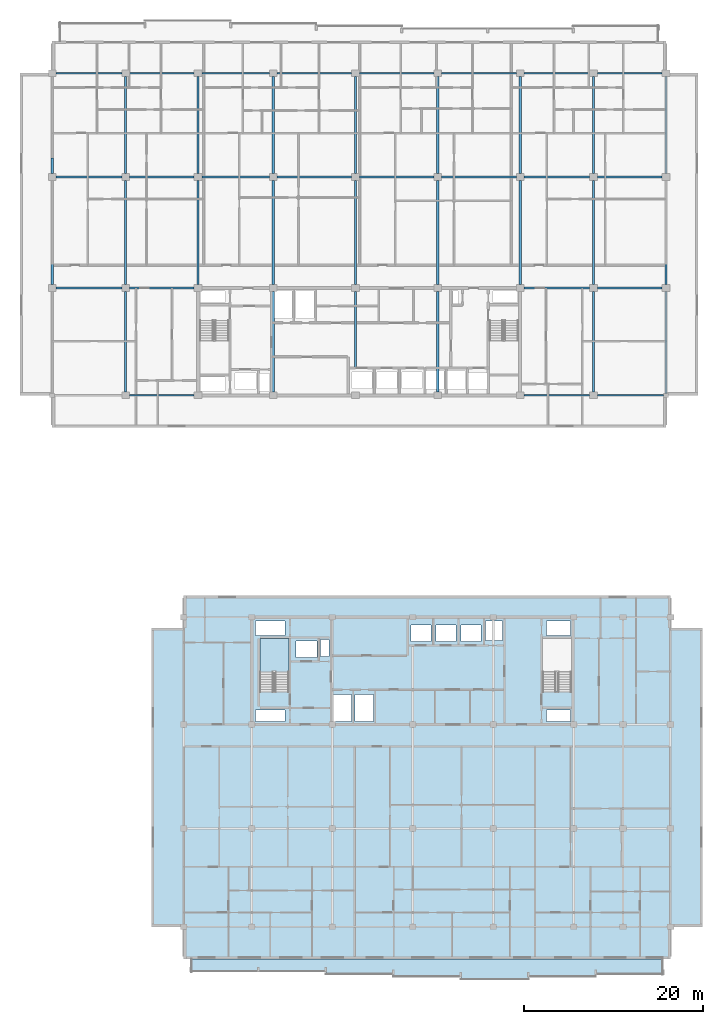
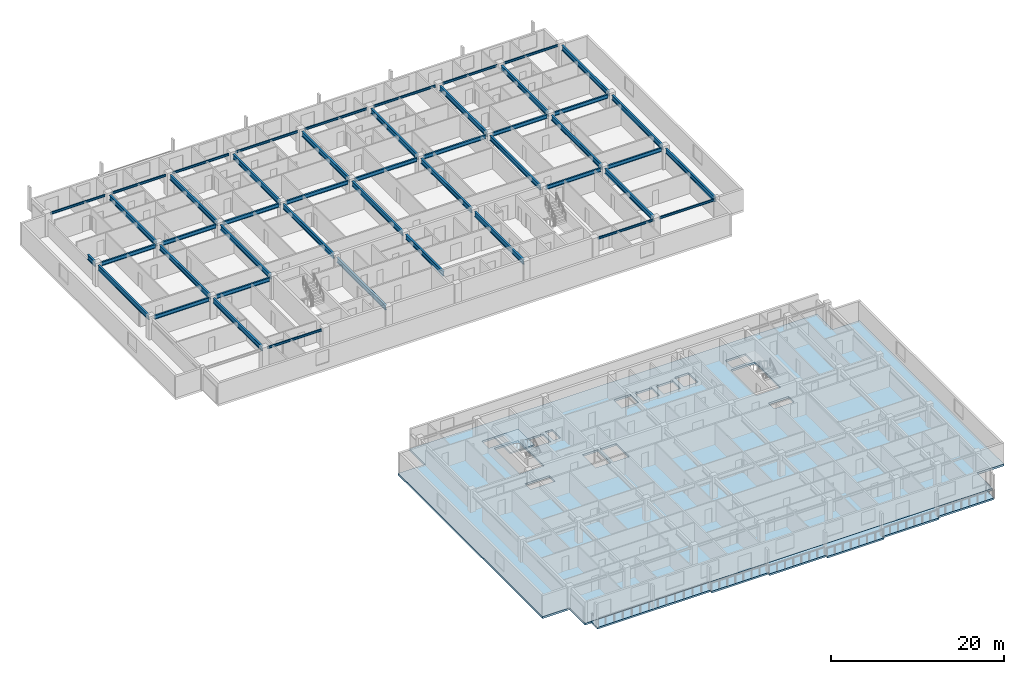
# One storey, part 2 of 23: 47 beams, 3 slabs, 1 element without a shape of its own.
"""IFC4 building model written with IfcOpenShell, lengths in metres."""

from ifc_helpers import new_model, si_unit, direction, frame, origin, origin_2d, place, context, subcontext, project, spatial, polyline, i_section, outline, extrude, material, layer, layer_set, material_profile, profile_set, type_object, element, aggregate, save


model = new_model("IFC4")

# Units and contexts
model_context = context("Model", 3, precision=1e-05, world=origin(), true_north=direction((0.0, 1.0)))
body_context = subcontext(model_context, "Body", "Model", "MODEL_VIEW")
ifc_project = project(units=[si_unit("LENGTHUNIT", "METRE"), si_unit("AREAUNIT", "SQUARE_METRE"), si_unit("VOLUMEUNIT", "CUBIC_METRE"), si_unit("PLANEANGLEUNIT", "RADIAN"), si_unit("MASSUNIT", "GRAM", prefix="KILO")], contexts=[model_context])

# Site, building, storey
site_placement = place(None, origin())
site = spatial("IfcSite", under=ifc_project, at=site_placement, CompositionType="ELEMENT")
building_placement = place(site_placement, origin())
building = spatial("IfcBuilding", under=site, at=building_placement, Name="Korimba Cascade Residences", CompositionType="ELEMENT")
storey_placement = place(building_placement, frame((0.0, 0.0, 165.35009765625)))
storey = spatial("IfcBuildingStorey", under=building, at=storey_placement, Name="L47", CompositionType="ELEMENT", Elevation=165.35009765625)

# Beams
ifc_material_1 = material(Name="Steel S355", Category="steel")
ifc_material_profile_1 = material_profile(ifc_material_1, i_section(OverallWidth=0.165771484375, OverallDepth=0.306640625, WebThickness=0.006591796875, FlangeThickness=0.01171875, FilletRadius=0.0087890625, at=origin_2d()), Name="Steel S355")
ifc_profile_set_1 = profile_set([ifc_material_profile_1], Name="Steel S355")
beam_type_1 = type_object("IfcBeamType", Name="BM-STL-UB305", PredefinedType="SPANDREL", material=ifc_profile_set_1)
beam_1_placement = place(storey_placement, frame((68.425048828125, 55.199951171875, 2.816650390625), z_axis=(1.0, 0.0, 0.0), x_axis=(0.0, 1.0, 0.0)))
element("IfcBeam", 1, at=beam_1_placement, inside=storey, type_object=beam_type_1, Name="L47 T1 E-W Girder Y1 Bay 2", PredefinedType="SPANDREL", context=body_context, shape_type="SweptSolid", body=[
    extrude(i_section(OverallWidth=0.165771484375, OverallDepth=0.306640625, WebThickness=0.006591796875, FlangeThickness=0.01171875, FilletRadius=0.0087890625, at=origin_2d()), origin(), (0.0, 0.0, 1.0), 7.25),
])
beam_2_placement = place(storey_placement, frame((112.52490234375, 55.199951171875, 2.816650390625), z_axis=(1.0, 0.0, 0.0), x_axis=(0.0, 1.0, 0.0)))
element("IfcBeam", 2, at=beam_2_placement, inside=storey, type_object=beam_type_1, Name="L47 T1 E-W Girder Y1 Bay 7", PredefinedType="SPANDREL", context=body_context, shape_type="SweptSolid", body=[
    extrude(i_section(OverallWidth=0.165771484375, OverallDepth=0.306640625, WebThickness=0.006591796875, FlangeThickness=0.01171875, FilletRadius=0.0087890625, at=origin_2d()), origin(), (0.0, 0.0, 1.0), 7.35009765625),
])
beam_3_placement = place(storey_placement, frame((120.72509765625, 55.199951171875, 2.816650390625), z_axis=(1.0, 0.0, 0.0), x_axis=(0.0, 1.0, 0.0)))
element("IfcBeam", 3, at=beam_3_placement, inside=storey, type_object=beam_type_1, Name="L47 T1 E-W Girder Y1 Bay 8", PredefinedType="SPANDREL", context=body_context, shape_type="SweptSolid", body=[
    extrude(i_section(OverallWidth=0.165771484375, OverallDepth=0.306640625, WebThickness=0.006591796875, FlangeThickness=0.01171875, FilletRadius=0.0087890625, at=origin_2d()), origin(), (0.0, 0.0, 1.0), 7.39990234375),
])
beam_4_placement = place(storey_placement, frame((60.22509765625, 91.199951171875, 2.816650390625), z_axis=(1.0, 0.0, 0.0), x_axis=(0.0, 1.0, 0.0)))
element("IfcBeam", 4, at=beam_4_placement, inside=storey, type_object=beam_type_1, Name="L47 T1 E-W Girder Y4 Bay 1", PredefinedType="SPANDREL", context=body_context, shape_type="SweptSolid", body=[
    extrude(i_section(OverallWidth=0.165771484375, OverallDepth=0.306640625, WebThickness=0.006591796875, FlangeThickness=0.01171875, FilletRadius=0.0087890625, at=origin_2d()), origin(), (0.0, 0.0, 1.0), 7.349853515625),
])
beam_5_placement = place(storey_placement, frame((68.425048828125, 91.199951171875, 2.816650390625), z_axis=(1.0, 0.0, 0.0), x_axis=(0.0, 1.0, 0.0)))
element("IfcBeam", 5, at=beam_5_placement, inside=storey, type_object=beam_type_1, Name="L47 T1 E-W Girder Y4 Bay 2", PredefinedType="SPANDREL", context=body_context, shape_type="SweptSolid", body=[
    extrude(i_section(OverallWidth=0.165771484375, OverallDepth=0.306640625, WebThickness=0.006591796875, FlangeThickness=0.01171875, FilletRadius=0.0087890625, at=origin_2d()), origin(), (0.0, 0.0, 1.0), 7.25),
])
beam_6_placement = place(storey_placement, frame((76.52490234375, 91.199951171875, 2.816650390625), z_axis=(1.0, 0.0, 0.0), x_axis=(0.0, 1.0, 0.0)))
element("IfcBeam", 6, at=beam_6_placement, inside=storey, type_object=beam_type_1, Name="L47 T1 E-W Girder Y4 Bay 3", PredefinedType="SPANDREL", context=body_context, shape_type="SweptSolid", body=[
    extrude(i_section(OverallWidth=0.165771484375, OverallDepth=0.306640625, WebThickness=0.006591796875, FlangeThickness=0.01171875, FilletRadius=0.0087890625, at=origin_2d()), origin(), (0.0, 0.0, 1.0), 7.550048828125),
])
beam_7_placement = place(storey_placement, frame((84.925048828125, 91.199951171875, 2.816650390625), z_axis=(1.0, 0.0, 0.0), x_axis=(0.0, 1.0, 0.0)))
element("IfcBeam", 7, at=beam_7_placement, inside=storey, type_object=beam_type_1, Name="L47 T1 E-W Girder Y4 Bay 4", PredefinedType="SPANDREL", context=body_context, shape_type="SweptSolid", body=[
    extrude(i_section(OverallWidth=0.165771484375, OverallDepth=0.306640625, WebThickness=0.006591796875, FlangeThickness=0.01171875, FilletRadius=0.0087890625, at=origin_2d()), origin(), (0.0, 0.0, 1.0), 8.349853515625),
])
for number, where, z_axis, x_axis, name in (
    (8, (94.125, 91.199951171875, 2.816650390625), (1.0, 0.0, 0.0), (0.0, 1.0, 0.0), "L47 T1 E-W Girder Y4 Bay 5"),
    (9, (103.324951171875, 91.199951171875, 2.816650390625), (1.0, 0.0, 0.0), (0.0, 1.0, 0.0), "L47 T1 E-W Girder Y4 Bay 6"),
):
    element("IfcBeam", number, at=place(storey_placement, frame(where, z_axis=z_axis, x_axis=x_axis)), inside=storey, type_object=beam_type_1, Name=name, PredefinedType="SPANDREL", context=body_context, shape_type="SweptSolid", body=[
        extrude(i_section(OverallWidth=0.165771484375, OverallDepth=0.306640625, WebThickness=0.006591796875, FlangeThickness=0.01171875, FilletRadius=0.0087890625, at=origin_2d()), origin(), (0.0, 0.0, 1.0), 8.35009765625),
    ])
beam_8_placement = place(storey_placement, frame((112.52490234375, 91.199951171875, 2.816650390625), z_axis=(1.0, 0.0, 0.0), x_axis=(0.0, 1.0, 0.0)))
element("IfcBeam", 10, at=beam_8_placement, inside=storey, type_object=beam_type_1, Name="L47 T1 E-W Girder Y4 Bay 7", PredefinedType="SPANDREL", context=body_context, shape_type="SweptSolid", body=[
    extrude(i_section(OverallWidth=0.165771484375, OverallDepth=0.306640625, WebThickness=0.006591796875, FlangeThickness=0.01171875, FilletRadius=0.0087890625, at=origin_2d()), origin(), (0.0, 0.0, 1.0), 7.35009765625),
])
beam_9_placement = place(storey_placement, frame((120.72509765625, 91.199951171875, 2.816650390625), z_axis=(1.0, 0.0, 0.0), x_axis=(0.0, 1.0, 0.0)))
element("IfcBeam", 11, at=beam_9_placement, inside=storey, type_object=beam_type_1, Name="L47 T1 E-W Girder Y4 Bay 8", PredefinedType="SPANDREL", context=body_context, shape_type="SweptSolid", body=[
    extrude(i_section(OverallWidth=0.165771484375, OverallDepth=0.306640625, WebThickness=0.006591796875, FlangeThickness=0.01171875, FilletRadius=0.0087890625, at=origin_2d()), origin(), (0.0, 0.0, 1.0), 7.25),
])
ifc_material_profile_2 = material_profile(ifc_material_1, i_section(OverallWidth=0.2099609375, OverallDepth=0.53662109375, WebThickness=0.0107421875, FlangeThickness=0.017333984375, FilletRadius=0.0126953125, at=origin_2d()), Name="Steel S355")
ifc_profile_set_2 = profile_set([ifc_material_profile_2], Name="Steel S355")
beam_type_2 = type_object("IfcBeamType", Name="BM-STL-UB533", PredefinedType="BEAM", material=ifc_profile_set_2)
beam_10_placement = place(storey_placement, frame((60.22509765625, 67.199951171875, 2.701416015625), z_axis=(1.0, 0.0, 0.0), x_axis=(0.0, 1.0, 0.0)))
element("IfcBeam", 12, at=beam_10_placement, inside=storey, type_object=beam_type_2, Name="L47 T1 E-W Girder Y2 Bay 1", PredefinedType="BEAM", context=body_context, shape_type="SweptSolid", body=[
    extrude(i_section(OverallWidth=0.2099609375, OverallDepth=0.53662109375, WebThickness=0.0107421875, FlangeThickness=0.017333984375, FilletRadius=0.0126953125, at=origin_2d()), origin(), (0.0, 0.0, 1.0), 7.349853515625),
])
beam_11_placement = place(storey_placement, frame((68.425048828125, 67.199951171875, 2.701416015625), z_axis=(1.0, 0.0, 0.0), x_axis=(0.0, 1.0, 0.0)))
element("IfcBeam", 13, at=beam_11_placement, inside=storey, type_object=beam_type_2, Name="L47 T1 E-W Girder Y2 Bay 2", PredefinedType="BEAM", context=body_context, shape_type="SweptSolid", body=[
    extrude(i_section(OverallWidth=0.2099609375, OverallDepth=0.53662109375, WebThickness=0.0107421875, FlangeThickness=0.017333984375, FilletRadius=0.0126953125, at=origin_2d()), origin(), (0.0, 0.0, 1.0), 7.25),
])
beam_12_placement = place(storey_placement, frame((112.52490234375, 67.199951171875, 2.701416015625), z_axis=(1.0, 0.0, 0.0), x_axis=(0.0, 1.0, 0.0)))
element("IfcBeam", 14, at=beam_12_placement, inside=storey, type_object=beam_type_2, Name="L47 T1 E-W Girder Y2 Bay 7", PredefinedType="BEAM", context=body_context, shape_type="SweptSolid", body=[
    extrude(i_section(OverallWidth=0.2099609375, OverallDepth=0.53662109375, WebThickness=0.0107421875, FlangeThickness=0.017333984375, FilletRadius=0.0126953125, at=origin_2d()), origin(), (0.0, 0.0, 1.0), 7.35009765625),
])
beam_13_placement = place(storey_placement, frame((120.72509765625, 67.199951171875, 2.701416015625), z_axis=(1.0, 0.0, 0.0), x_axis=(0.0, 1.0, 0.0)))
element("IfcBeam", 15, at=beam_13_placement, inside=storey, type_object=beam_type_2, Name="L47 T1 E-W Girder Y2 Bay 8", PredefinedType="BEAM", context=body_context, shape_type="SweptSolid", body=[
    extrude(i_section(OverallWidth=0.2099609375, OverallDepth=0.53662109375, WebThickness=0.0107421875, FlangeThickness=0.017333984375, FilletRadius=0.0126953125, at=origin_2d()), origin(), (0.0, 0.0, 1.0), 7.25),
])
beam_14_placement = place(storey_placement, frame((60.22509765625, 79.60009765625, 2.701416015625), z_axis=(1.0, 0.0, 0.0), x_axis=(0.0, 1.0, 0.0)))
element("IfcBeam", 16, at=beam_14_placement, inside=storey, type_object=beam_type_2, Name="L47 T1 E-W Girder Y3 Bay 1", PredefinedType="BEAM", context=body_context, shape_type="SweptSolid", body=[
    extrude(i_section(OverallWidth=0.2099609375, OverallDepth=0.53662109375, WebThickness=0.0107421875, FlangeThickness=0.017333984375, FilletRadius=0.0126953125, at=origin_2d()), origin(), (0.0, 0.0, 1.0), 7.349853515625),
])
beam_15_placement = place(storey_placement, frame((68.425048828125, 79.60009765625, 2.701416015625), z_axis=(1.0, 0.0, 0.0), x_axis=(0.0, 1.0, 0.0)))
element("IfcBeam", 17, at=beam_15_placement, inside=storey, type_object=beam_type_2, Name="L47 T1 E-W Girder Y3 Bay 2", PredefinedType="BEAM", context=body_context, shape_type="SweptSolid", body=[
    extrude(i_section(OverallWidth=0.2099609375, OverallDepth=0.53662109375, WebThickness=0.0107421875, FlangeThickness=0.017333984375, FilletRadius=0.0126953125, at=origin_2d()), origin(), (0.0, 0.0, 1.0), 7.25),
])
beam_16_placement = place(storey_placement, frame((76.52490234375, 79.60009765625, 2.701416015625), z_axis=(1.0, 0.0, 0.0), x_axis=(0.0, 1.0, 0.0)))
element("IfcBeam", 18, at=beam_16_placement, inside=storey, type_object=beam_type_2, Name="L47 T1 E-W Girder Y3 Bay 3", PredefinedType="BEAM", context=body_context, shape_type="SweptSolid", body=[
    extrude(i_section(OverallWidth=0.2099609375, OverallDepth=0.53662109375, WebThickness=0.0107421875, FlangeThickness=0.017333984375, FilletRadius=0.0126953125, at=origin_2d()), origin(), (0.0, 0.0, 1.0), 7.550048828125),
])
beam_17_placement = place(storey_placement, frame((84.925048828125, 79.60009765625, 2.701416015625), z_axis=(1.0, 0.0, 0.0), x_axis=(0.0, 1.0, 0.0)))
element("IfcBeam", 19, at=beam_17_placement, inside=storey, type_object=beam_type_2, Name="L47 T1 E-W Girder Y3 Bay 4", PredefinedType="BEAM", context=body_context, shape_type="SweptSolid", body=[
    extrude(i_section(OverallWidth=0.2099609375, OverallDepth=0.53662109375, WebThickness=0.0107421875, FlangeThickness=0.017333984375, FilletRadius=0.0126953125, at=origin_2d()), origin(), (0.0, 0.0, 1.0), 8.349853515625),
])
for number, where, z_axis, x_axis, name in (
    (20, (94.125, 79.60009765625, 2.701416015625), (1.0, 0.0, 0.0), (0.0, 1.0, 0.0), "L47 T1 E-W Girder Y3 Bay 5"),
    (21, (103.324951171875, 79.60009765625, 2.701416015625), (1.0, 0.0, 0.0), (0.0, 1.0, 0.0), "L47 T1 E-W Girder Y3 Bay 6"),
):
    element("IfcBeam", number, at=place(storey_placement, frame(where, z_axis=z_axis, x_axis=x_axis)), inside=storey, type_object=beam_type_2, Name=name, PredefinedType="BEAM", context=body_context, shape_type="SweptSolid", body=[
        extrude(i_section(OverallWidth=0.2099609375, OverallDepth=0.53662109375, WebThickness=0.0107421875, FlangeThickness=0.017333984375, FilletRadius=0.0126953125, at=origin_2d()), origin(), (0.0, 0.0, 1.0), 8.35009765625),
    ])
beam_18_placement = place(storey_placement, frame((112.52490234375, 79.60009765625, 2.701416015625), z_axis=(1.0, 0.0, 0.0), x_axis=(0.0, 1.0, 0.0)))
element("IfcBeam", 22, at=beam_18_placement, inside=storey, type_object=beam_type_2, Name="L47 T1 E-W Girder Y3 Bay 7", PredefinedType="BEAM", context=body_context, shape_type="SweptSolid", body=[
    extrude(i_section(OverallWidth=0.2099609375, OverallDepth=0.53662109375, WebThickness=0.0107421875, FlangeThickness=0.017333984375, FilletRadius=0.0126953125, at=origin_2d()), origin(), (0.0, 0.0, 1.0), 7.35009765625),
])
beam_19_placement = place(storey_placement, frame((120.72509765625, 79.60009765625, 2.701416015625), z_axis=(1.0, 0.0, 0.0), x_axis=(0.0, 1.0, 0.0)))
element("IfcBeam", 23, at=beam_19_placement, inside=storey, type_object=beam_type_2, Name="L47 T1 E-W Girder Y3 Bay 8", PredefinedType="BEAM", context=body_context, shape_type="SweptSolid", body=[
    extrude(i_section(OverallWidth=0.2099609375, OverallDepth=0.53662109375, WebThickness=0.0107421875, FlangeThickness=0.017333984375, FilletRadius=0.0126953125, at=origin_2d()), origin(), (0.0, 0.0, 1.0), 7.25),
])
ifc_material_profile_3 = material_profile(ifc_material_1, i_section(OverallWidth=0.255859375, OverallDepth=0.69287109375, WebThickness=0.014404296875, FlangeThickness=0.023681640625, FilletRadius=0.01513671875, at=origin_2d()), Name="Steel S355")
ifc_profile_set_3 = profile_set([ifc_material_profile_3], Name="Steel S355")
beam_type_3 = type_object("IfcBeamType", Name="BM-STL-UB686", PredefinedType="BEAM", material=ifc_profile_set_3)
beam_20_placement = place(storey_placement, frame((59.800048828125, 67.574951171875, 2.623291015625), z_axis=(0.0, 1.0, 0.0), x_axis=(-1.0, 0.0, 0.0)))
element("IfcBeam", 24, at=beam_20_placement, inside=storey, type_object=beam_type_3, Name="L47 T1 N-S Girder X1 Seg 2", PredefinedType="BEAM", context=body_context, shape_type="SweptSolid", body=[
    extrude(i_section(OverallWidth=0.255859375, OverallDepth=0.69287109375, WebThickness=0.014404296875, FlangeThickness=0.023681640625, FilletRadius=0.01513671875, at=origin_2d()), origin(), (0.0, 0.0, 1.0), 11.650146484375),
])
beam_21_placement = place(storey_placement, frame((59.800048828125, 79.97509765625, 2.623291015625), z_axis=(0.0, 1.0, 0.0), x_axis=(-1.0, 0.0, 0.0)))
element("IfcBeam", 25, at=beam_21_placement, inside=storey, type_object=beam_type_3, Name="L47 T1 N-S Girder X1 Seg 3", PredefinedType="BEAM", context=body_context, shape_type="SweptSolid", body=[
    extrude(i_section(OverallWidth=0.255859375, OverallDepth=0.69287109375, WebThickness=0.014404296875, FlangeThickness=0.023681640625, FilletRadius=0.01513671875, at=origin_2d()), origin(), (0.0, 0.0, 1.0), 1.724853515625),
])
beam_22_placement = place(storey_placement, frame((68.0, 55.574951171875, 2.623291015625), z_axis=(0.0, 1.0, 0.0), x_axis=(-1.0, 0.0, 0.0)))
element("IfcBeam", 26, at=beam_22_placement, inside=storey, type_object=beam_type_3, Name="L47 T1 N-S Girder X2 Seg 1", PredefinedType="BEAM", context=body_context, shape_type="SweptSolid", body=[
    extrude(i_section(OverallWidth=0.255859375, OverallDepth=0.69287109375, WebThickness=0.014404296875, FlangeThickness=0.023681640625, FilletRadius=0.01513671875, at=origin_2d()), origin(), (0.0, 0.0, 1.0), 11.25),
])
beam_23_placement = place(storey_placement, frame((68.0, 67.574951171875, 2.623291015625), z_axis=(0.0, 1.0, 0.0), x_axis=(-1.0, 0.0, 0.0)))
element("IfcBeam", 27, at=beam_23_placement, inside=storey, type_object=beam_type_3, Name="L47 T1 N-S Girder X2 Seg 2", PredefinedType="BEAM", context=body_context, shape_type="SweptSolid", body=[
    extrude(i_section(OverallWidth=0.255859375, OverallDepth=0.69287109375, WebThickness=0.014404296875, FlangeThickness=0.023681640625, FilletRadius=0.01513671875, at=origin_2d()), origin(), (0.0, 0.0, 1.0), 11.650146484375),
])
beam_24_placement = place(storey_placement, frame((68.0, 79.97509765625, 2.623291015625), z_axis=(0.0, 1.0, 0.0), x_axis=(-1.0, 0.0, 0.0)))
element("IfcBeam", 28, at=beam_24_placement, inside=storey, type_object=beam_type_3, Name="L47 T1 N-S Girder X2 Seg 3", PredefinedType="BEAM", context=body_context, shape_type="SweptSolid", body=[
    extrude(i_section(OverallWidth=0.255859375, OverallDepth=0.69287109375, WebThickness=0.014404296875, FlangeThickness=0.023681640625, FilletRadius=0.01513671875, at=origin_2d()), origin(), (0.0, 0.0, 1.0), 10.849853515625),
])
beam_25_placement = place(storey_placement, frame((76.10009765625, 67.574951171875, 2.623291015625), z_axis=(0.0, 1.0, 0.0), x_axis=(-1.0, 0.0, 0.0)))
element("IfcBeam", 29, at=beam_25_placement, inside=storey, type_object=beam_type_3, Name="L47 T1 N-S Girder X3 Seg 2", PredefinedType="BEAM", context=body_context, shape_type="SweptSolid", body=[
    extrude(i_section(OverallWidth=0.255859375, OverallDepth=0.69287109375, WebThickness=0.014404296875, FlangeThickness=0.023681640625, FilletRadius=0.01513671875, at=origin_2d()), origin(), (0.0, 0.0, 1.0), 11.650146484375),
])
beam_26_placement = place(storey_placement, frame((76.10009765625, 79.97509765625, 2.623291015625), z_axis=(0.0, 1.0, 0.0), x_axis=(-1.0, 0.0, 0.0)))
element("IfcBeam", 30, at=beam_26_placement, inside=storey, type_object=beam_type_3, Name="L47 T1 N-S Girder X3 Seg 3", PredefinedType="BEAM", context=body_context, shape_type="SweptSolid", body=[
    extrude(i_section(OverallWidth=0.255859375, OverallDepth=0.69287109375, WebThickness=0.014404296875, FlangeThickness=0.023681640625, FilletRadius=0.01513671875, at=origin_2d()), origin(), (0.0, 0.0, 1.0), 10.849853515625),
])
beam_27_placement = place(storey_placement, frame((84.5, 55.574951171875, 2.623291015625), z_axis=(0.0, 1.0, 0.0), x_axis=(-1.0, 0.0, 0.0)))
element("IfcBeam", 31, at=beam_27_placement, inside=storey, type_object=beam_type_3, Name="L47 T1 N-S Girder X4 Seg 1", PredefinedType="BEAM", context=body_context, shape_type="SweptSolid", body=[
    extrude(i_section(OverallWidth=0.255859375, OverallDepth=0.69287109375, WebThickness=0.014404296875, FlangeThickness=0.023681640625, FilletRadius=0.01513671875, at=origin_2d()), origin(), (0.0, 0.0, 1.0), 11.25),
])
beam_28_placement = place(storey_placement, frame((84.5, 67.574951171875, 2.623291015625), z_axis=(0.0, 1.0, 0.0), x_axis=(-1.0, 0.0, 0.0)))
element("IfcBeam", 32, at=beam_28_placement, inside=storey, type_object=beam_type_3, Name="L47 T1 N-S Girder X4 Seg 2", PredefinedType="BEAM", context=body_context, shape_type="SweptSolid", body=[
    extrude(i_section(OverallWidth=0.255859375, OverallDepth=0.69287109375, WebThickness=0.014404296875, FlangeThickness=0.023681640625, FilletRadius=0.01513671875, at=origin_2d()), origin(), (0.0, 0.0, 1.0), 11.650146484375),
])
beam_29_placement = place(storey_placement, frame((84.5, 79.97509765625, 2.623291015625), z_axis=(0.0, 1.0, 0.0), x_axis=(-1.0, 0.0, 0.0)))
element("IfcBeam", 33, at=beam_29_placement, inside=storey, type_object=beam_type_3, Name="L47 T1 N-S Girder X4 Seg 3", PredefinedType="BEAM", context=body_context, shape_type="SweptSolid", body=[
    extrude(i_section(OverallWidth=0.255859375, OverallDepth=0.69287109375, WebThickness=0.014404296875, FlangeThickness=0.023681640625, FilletRadius=0.01513671875, at=origin_2d()), origin(), (0.0, 0.0, 1.0), 10.849853515625),
])
beam_30_placement = place(storey_placement, frame((93.699951171875, 58.159912109375, 2.623291015625), z_axis=(0.0, 1.0, 0.0), x_axis=(-1.0, 0.0, 0.0)))
element("IfcBeam", 34, at=beam_30_placement, inside=storey, type_object=beam_type_3, Name="L47 T1 N-S Girder X5 Seg 1", PredefinedType="BEAM", context=body_context, shape_type="SweptSolid", body=[
    extrude(i_section(OverallWidth=0.255859375, OverallDepth=0.69287109375, WebThickness=0.014404296875, FlangeThickness=0.023681640625, FilletRadius=0.01513671875, at=origin_2d()), origin(), (0.0, 0.0, 1.0), 8.6650390625),
])
beam_31_placement = place(storey_placement, frame((93.699951171875, 67.574951171875, 2.623291015625), z_axis=(0.0, 1.0, 0.0), x_axis=(-1.0, 0.0, 0.0)))
element("IfcBeam", 35, at=beam_31_placement, inside=storey, type_object=beam_type_3, Name="L47 T1 N-S Girder X5 Seg 2", PredefinedType="BEAM", context=body_context, shape_type="SweptSolid", body=[
    extrude(i_section(OverallWidth=0.255859375, OverallDepth=0.69287109375, WebThickness=0.014404296875, FlangeThickness=0.023681640625, FilletRadius=0.01513671875, at=origin_2d()), origin(), (0.0, 0.0, 1.0), 11.650146484375),
])
beam_32_placement = place(storey_placement, frame((93.699951171875, 79.97509765625, 2.623291015625), z_axis=(0.0, 1.0, 0.0), x_axis=(-1.0, 0.0, 0.0)))
element("IfcBeam", 36, at=beam_32_placement, inside=storey, type_object=beam_type_3, Name="L47 T1 N-S Girder X5 Seg 3", PredefinedType="BEAM", context=body_context, shape_type="SweptSolid", body=[
    extrude(i_section(OverallWidth=0.255859375, OverallDepth=0.69287109375, WebThickness=0.014404296875, FlangeThickness=0.023681640625, FilletRadius=0.01513671875, at=origin_2d()), origin(), (0.0, 0.0, 1.0), 10.849853515625),
])
beam_33_placement = place(storey_placement, frame((102.89990234375, 55.574951171875, 2.623291015625), z_axis=(0.0, 1.0, 0.0), x_axis=(-1.0, 0.0, 0.0)))
element("IfcBeam", 37, at=beam_33_placement, inside=storey, type_object=beam_type_3, Name="L47 T1 N-S Girder X6 Seg 1", PredefinedType="BEAM", context=body_context, shape_type="SweptSolid", body=[
    extrude(i_section(OverallWidth=0.255859375, OverallDepth=0.69287109375, WebThickness=0.014404296875, FlangeThickness=0.023681640625, FilletRadius=0.01513671875, at=origin_2d()), origin(), (0.0, 0.0, 1.0), 11.25),
])
beam_34_placement = place(storey_placement, frame((102.89990234375, 67.574951171875, 2.623291015625), z_axis=(0.0, 1.0, 0.0), x_axis=(-1.0, 0.0, 0.0)))
element("IfcBeam", 38, at=beam_34_placement, inside=storey, type_object=beam_type_3, Name="L47 T1 N-S Girder X6 Seg 2", PredefinedType="BEAM", context=body_context, shape_type="SweptSolid", body=[
    extrude(i_section(OverallWidth=0.255859375, OverallDepth=0.69287109375, WebThickness=0.014404296875, FlangeThickness=0.023681640625, FilletRadius=0.01513671875, at=origin_2d()), origin(), (0.0, 0.0, 1.0), 11.650146484375),
])
beam_35_placement = place(storey_placement, frame((102.89990234375, 79.97509765625, 2.623291015625), z_axis=(0.0, 1.0, 0.0), x_axis=(-1.0, 0.0, 0.0)))
element("IfcBeam", 39, at=beam_35_placement, inside=storey, type_object=beam_type_3, Name="L47 T1 N-S Girder X6 Seg 3", PredefinedType="BEAM", context=body_context, shape_type="SweptSolid", body=[
    extrude(i_section(OverallWidth=0.255859375, OverallDepth=0.69287109375, WebThickness=0.014404296875, FlangeThickness=0.023681640625, FilletRadius=0.01513671875, at=origin_2d()), origin(), (0.0, 0.0, 1.0), 10.849853515625),
])
beam_36_placement = place(storey_placement, frame((112.10009765625, 67.574951171875, 2.623291015625), z_axis=(0.0, 1.0, 0.0), x_axis=(-1.0, 0.0, 0.0)))
element("IfcBeam", 40, at=beam_36_placement, inside=storey, type_object=beam_type_3, Name="L47 T1 N-S Girder X7 Seg 2", PredefinedType="BEAM", context=body_context, shape_type="SweptSolid", body=[
    extrude(i_section(OverallWidth=0.255859375, OverallDepth=0.69287109375, WebThickness=0.014404296875, FlangeThickness=0.023681640625, FilletRadius=0.01513671875, at=origin_2d()), origin(), (0.0, 0.0, 1.0), 11.650146484375),
])
beam_37_placement = place(storey_placement, frame((112.10009765625, 79.97509765625, 2.623291015625), z_axis=(0.0, 1.0, 0.0), x_axis=(-1.0, 0.0, 0.0)))
element("IfcBeam", 41, at=beam_37_placement, inside=storey, type_object=beam_type_3, Name="L47 T1 N-S Girder X7 Seg 3", PredefinedType="BEAM", context=body_context, shape_type="SweptSolid", body=[
    extrude(i_section(OverallWidth=0.255859375, OverallDepth=0.69287109375, WebThickness=0.014404296875, FlangeThickness=0.023681640625, FilletRadius=0.01513671875, at=origin_2d()), origin(), (0.0, 0.0, 1.0), 10.849853515625),
])
beam_38_placement = place(storey_placement, frame((120.300048828125, 55.574951171875, 2.623291015625), z_axis=(0.0, 1.0, 0.0), x_axis=(-1.0, 0.0, 0.0)))
element("IfcBeam", 42, at=beam_38_placement, inside=storey, type_object=beam_type_3, Name="L47 T1 N-S Girder X8 Seg 1", PredefinedType="BEAM", context=body_context, shape_type="SweptSolid", body=[
    extrude(i_section(OverallWidth=0.255859375, OverallDepth=0.69287109375, WebThickness=0.014404296875, FlangeThickness=0.023681640625, FilletRadius=0.01513671875, at=origin_2d()), origin(), (0.0, 0.0, 1.0), 11.25),
])
beam_39_placement = place(storey_placement, frame((120.300048828125, 67.574951171875, 2.623291015625), z_axis=(0.0, 1.0, 0.0), x_axis=(-1.0, 0.0, 0.0)))
element("IfcBeam", 43, at=beam_39_placement, inside=storey, type_object=beam_type_3, Name="L47 T1 N-S Girder X8 Seg 2", PredefinedType="BEAM", context=body_context, shape_type="SweptSolid", body=[
    extrude(i_section(OverallWidth=0.255859375, OverallDepth=0.69287109375, WebThickness=0.014404296875, FlangeThickness=0.023681640625, FilletRadius=0.01513671875, at=origin_2d()), origin(), (0.0, 0.0, 1.0), 11.650146484375),
])
beam_40_placement = place(storey_placement, frame((120.300048828125, 79.97509765625, 2.623291015625), z_axis=(0.0, 1.0, 0.0), x_axis=(-1.0, 0.0, 0.0)))
element("IfcBeam", 44, at=beam_40_placement, inside=storey, type_object=beam_type_3, Name="L47 T1 N-S Girder X8 Seg 3", PredefinedType="BEAM", context=body_context, shape_type="SweptSolid", body=[
    extrude(i_section(OverallWidth=0.255859375, OverallDepth=0.69287109375, WebThickness=0.014404296875, FlangeThickness=0.023681640625, FilletRadius=0.01513671875, at=origin_2d()), origin(), (0.0, 0.0, 1.0), 10.849853515625),
])
beam_41_placement = place(storey_placement, frame((128.39990234375, 55.425048828125, 2.623291015625), z_axis=(0.0, 1.0, 0.0), x_axis=(-1.0, 0.0, 0.0)))
element("IfcBeam", 45, at=beam_41_placement, inside=storey, type_object=beam_type_3, Name="L47 T1 N-S Girder X9 Seg 1", PredefinedType="BEAM", context=body_context, shape_type="SweptSolid", body=[
    extrude(i_section(OverallWidth=0.255859375, OverallDepth=0.69287109375, WebThickness=0.014404296875, FlangeThickness=0.023681640625, FilletRadius=0.01513671875, at=origin_2d()), origin(), (0.0, 0.0, 1.0), 11.39990234375),
])
beam_42_placement = place(storey_placement, frame((128.39990234375, 67.574951171875, 2.623291015625), z_axis=(0.0, 1.0, 0.0), x_axis=(-1.0, 0.0, 0.0)))
element("IfcBeam", 46, at=beam_42_placement, inside=storey, type_object=beam_type_3, Name="L47 T1 N-S Girder X9 Seg 2", PredefinedType="BEAM", context=body_context, shape_type="SweptSolid", body=[
    extrude(i_section(OverallWidth=0.255859375, OverallDepth=0.69287109375, WebThickness=0.014404296875, FlangeThickness=0.023681640625, FilletRadius=0.01513671875, at=origin_2d()), origin(), (0.0, 0.0, 1.0), 11.650146484375),
])
beam_43_placement = place(storey_placement, frame((128.39990234375, 79.97509765625, 2.623291015625), z_axis=(0.0, 1.0, 0.0), x_axis=(-1.0, 0.0, 0.0)))
element("IfcBeam", 47, at=beam_43_placement, inside=storey, type_object=beam_type_3, Name="L47 T1 N-S Girder X9 Seg 3", PredefinedType="BEAM", context=body_context, shape_type="SweptSolid", body=[
    extrude(i_section(OverallWidth=0.255859375, OverallDepth=0.69287109375, WebThickness=0.014404296875, FlangeThickness=0.023681640625, FilletRadius=0.01513671875, at=origin_2d()), origin(), (0.0, 0.0, 1.0), 10.849853515625),
])

# Stair, slab
ifc_material_2 = material(Name="Concrete C50/60", Category="concrete")
stair_type = type_object("IfcStairType", Name="STR-E1-18R-1806", PredefinedType="HALF_TURN_STAIR", material=ifc_material_2)
stair_placement = place(storey_placement, origin())
stair = element("IfcStair", 48, at=stair_placement, inside=storey, type_object=stair_type, Name="L47 Tower 2 West Fire Stair ST-E1", PredefinedType="HALF_TURN_STAIR")
ifc_layer_1 = layer(ifc_material_2, 0.199951171875)
ifc_layer_set_1 = layer_set([ifc_layer_1], Name="Concrete C50/60")
slab_type_1 = type_object("IfcSlabType", Name="SLB-LND-220", PredefinedType="LANDING", material=ifc_layer_set_1)
slab_1_placement = place(storey_placement, frame((0.0, 0.0, 1.4248046875)))
slab_1 = element("IfcSlab", 49, at=slab_1_placement, type_object=slab_type_1, Name="ST-E1 landing 1", PredefinedType="LANDING", context=body_context, shape_type="SweptSolid", body=[
    extrude(outline(polyline([(86.239990234375, 24.2900390625), (86.239990234375, 28.0), (83.0, 28.0), (83.0, 24.2900390625), (86.239990234375, 24.2900390625)])), origin(), (0.0, 0.0, 1.0), 0.2001953125),
])
aggregate(stair, [slab_1])

# Slabs
ifc_material_3 = material(Name="Precast concrete C40/50", Category="concrete")
ifc_layer_2 = layer(ifc_material_3, 0.239990234375)
ifc_layer_set_2 = layer_set([ifc_layer_2], Name="Precast concrete C40/50")
slab_type_2 = type_object("IfcSlabType", Name="SLB-LOG-240", PredefinedType="FLOOR", material=ifc_layer_set_2)
slab_2_placement = place(storey_placement, frame((0.0, 0.0, -0.239990234375)))
element("IfcSlab", 50, at=slab_2_placement, inside=storey, type_object=slab_type_2, Name="L47 Tower 2 South Loggia Slab", PredefinedType="FLOOR", context=body_context, shape_type="SweptSolid", body=[
    extrude(outline(polyline([(75.300048828125, -9.25), (90.3857421875, -9.25), (90.3857421875, -9.550048828125), (97.9287109375, -9.550048828125), (97.9287109375, -9.85009765625), (105.471435546875, -9.85009765625), (105.471435546875, -10.14990234375), (113.014404296875, -10.14990234375), (113.014404296875, -9.85009765625), (120.55712890625, -9.85009765625), (120.55712890625, -9.550048828125), (128.10009765625, -9.550048828125), (128.10009765625, -7.800048828125), (75.300048828125, -7.800048828125), (75.300048828125, -9.25)])), origin(), (0.0, 0.0, 1.0), 0.239990234375),
])
ifc_layer_3 = layer(ifc_material_2, 0.280029296875)
ifc_layer_set_3 = layer_set([ifc_layer_3], Name="Concrete C50/60")
slab_type_3 = type_object("IfcSlabType", Name="SLB-TYP-280", PredefinedType="FLOOR", material=ifc_layer_set_3)
slab_3_placement = place(storey_placement, frame((0.0, 0.0, -0.280029296875)))
element("IfcSlab", 51, at=slab_3_placement, inside=storey, type_object=slab_type_3, Name="L47 Tower 2 Floor Slab", PredefinedType="FLOOR", context=body_context, shape_type="SweptSolid", body=[
    extrude(outline(polyline([(74.5, -7.800048828125), (128.89990234375, -7.800048828125), (128.89990234375, -4.199951171875), (132.5, -4.199951171875), (132.5, 29.199951171875), (128.89990234375, 29.199951171875), (128.89990234375, 32.800048828125), (74.5, 32.800048828125), (74.5, 29.199951171875), (70.89990234375, 29.199951171875), (70.89990234375, -4.199951171875), (74.5, -4.199951171875), (74.5, -7.800048828125)]), holes=[polyline([(86.239990234375, 22.0849609375), (86.239990234375, 28.0), (83.0, 28.0), (83.0, 22.0849609375), (86.239990234375, 22.0849609375)]), polyline([(117.840087890625, 22.0849609375), (117.840087890625, 28.0), (114.60009765625, 28.0), (114.60009765625, 22.0849609375), (117.840087890625, 22.0849609375)]), polyline([(87.030029296875, 25.8798828125), (89.3701171875, 25.8798828125), (89.3701171875, 27.719970703125), (87.030029296875, 27.719970703125), (87.030029296875, 25.8798828125)]), polyline([(99.8798828125, 27.679931640625), (102.1201171875, 27.679931640625), (102.1201171875, 29.52001953125), (99.8798828125, 29.52001953125), (99.8798828125, 27.679931640625)]), polyline([(102.679931640625, 27.679931640625), (104.919921875, 27.679931640625), (104.919921875, 29.52001953125), (102.679931640625, 29.52001953125), (102.679931640625, 27.679931640625)]), polyline([(105.47998046875, 27.679931640625), (107.719970703125, 27.679931640625), (107.719970703125, 29.52001953125), (105.47998046875, 29.52001953125), (105.47998046875, 27.679931640625)]), polyline([(89.780029296875, 25.97998046875), (90.719970703125, 25.97998046875), (90.719970703125, 27.919921875), (89.780029296875, 27.919921875), (89.780029296875, 25.97998046875)]), polyline([(82.530029296875, 18.72998046875), (85.800048828125, 18.72998046875), (85.800048828125, 20.0400390625), (82.530029296875, 20.0400390625), (82.530029296875, 18.72998046875)]), polyline([(82.530029296875, 28.360107421875), (85.800048828125, 28.360107421875), (85.800048828125, 29.969970703125), (82.530029296875, 29.969970703125), (82.530029296875, 28.360107421875)]), polyline([(108.22998046875, 27.780029296875), (110.1201171875, 27.780029296875), (110.1201171875, 29.969970703125), (108.22998046875, 29.969970703125), (108.22998046875, 27.780029296875)]), polyline([(91.22998046875, 18.72998046875), (93.27001953125, 18.72998046875), (93.27001953125, 21.780029296875), (91.22998046875, 21.780029296875), (91.22998046875, 18.72998046875)]), polyline([(93.6298828125, 18.72998046875), (95.719970703125, 18.72998046875), (95.719970703125, 21.780029296875), (93.6298828125, 21.780029296875), (93.6298828125, 18.72998046875)]), polyline([(115.02001953125, 18.72998046875), (117.739990234375, 18.72998046875), (117.739990234375, 20.0400390625), (115.02001953125, 20.0400390625), (115.02001953125, 18.72998046875)]), polyline([(115.02001953125, 28.360107421875), (117.739990234375, 28.360107421875), (117.739990234375, 29.969970703125), (115.02001953125, 29.969970703125), (115.02001953125, 28.360107421875)])]), origin(), (0.0, 0.0, 1.0), 0.280029296875),
])

save(model, "model.ifc")
